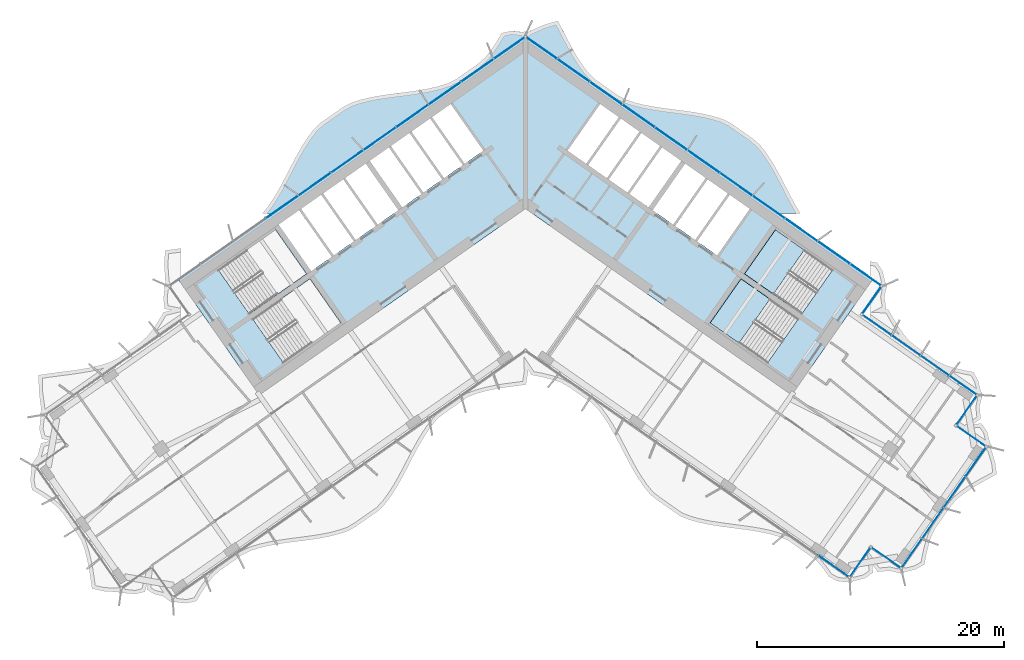
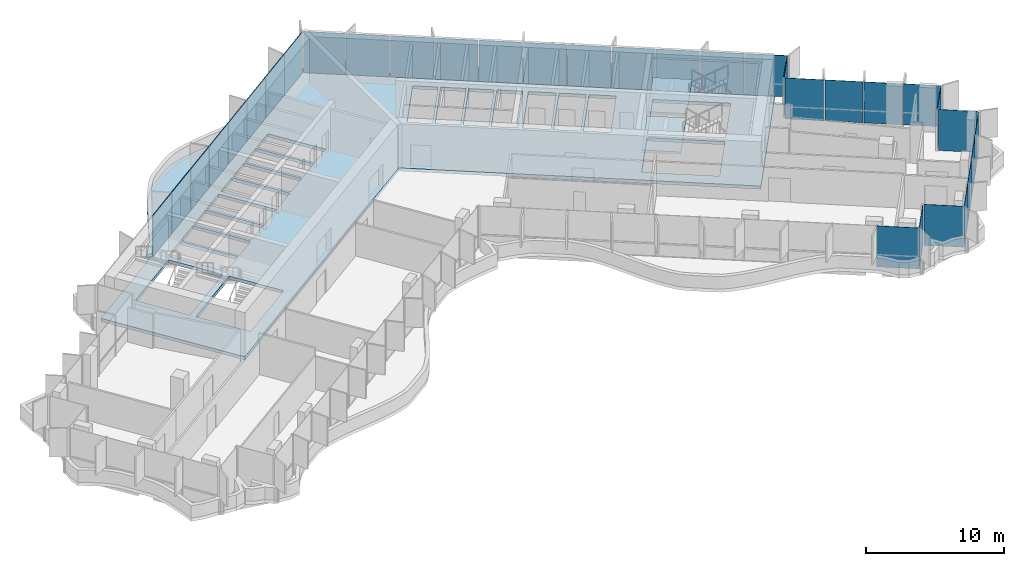
# One storey, part 11 of 21: 33 plates, 4 slabs, 4 elements without a shape of their own.
"""IFC4 building model written with IfcOpenShell, lengths in metres."""

from ifc_helpers import new_model, si_unit, direction, frame, origin, origin_2d, place, context, subcontext, project, spatial, polyline, rectangle, outline, extrude, material, layer, layer_set, type_object, element, aggregate, save


model = new_model("IFC4")

# Units and contexts
model_context = context("Model", 3, precision=1e-05, world=origin(), true_north=direction((0.0, 1.0)))
body_context = subcontext(model_context, "Body", "Model", "MODEL_VIEW")
ifc_project = project(units=[si_unit("LENGTHUNIT", "METRE"), si_unit("AREAUNIT", "SQUARE_METRE"), si_unit("VOLUMEUNIT", "CUBIC_METRE"), si_unit("PLANEANGLEUNIT", "RADIAN"), si_unit("MASSUNIT", "GRAM", prefix="KILO")], contexts=[model_context])

# Site, building, storey
site_placement = place(None, origin())
site = spatial("IfcSite", under=ifc_project, at=site_placement, CompositionType="ELEMENT")
building_placement = place(site_placement, origin())
building = spatial("IfcBuilding", under=site, at=building_placement, Name="Tel Ilan Convention Tower", CompositionType="ELEMENT")
storey_placement = place(building_placement, frame((0.0, 0.0, 151.5)))
storey = spatial("IfcBuildingStorey", under=building, at=storey_placement, Name="L34", CompositionType="ELEMENT", Elevation=151.5)

# Curtain wall, plates
ifc_material_1 = material(Name="Aluminium, bronze anodised", Category="aluminium")
curtain_wall_type_1 = type_object("IfcCurtainWallType", Name="CW4 STICK CURTAIN WALL, OFFICE TINTED GLASS", PredefinedType="NOTDEFINED", material=ifc_material_1)
curtain_wall_1_placement = place(storey_placement, origin())
curtain_wall_1 = element("IfcCurtainWall", 1, at=curtain_wall_1_placement, inside=storey, type_object=curtain_wall_type_1, Name="Curtain wall CW4-27.02", PredefinedType="NOTDEFINED")
ifc_material_2 = material(Name="Glass, bronze tinted, two-ply", Category="glass")
ifc_layer_1 = layer(ifc_material_2, 0.028076171875)
ifc_layer_set_1 = layer_set([ifc_layer_1], Name="CW GLASS PANEL 28")
plate_type_1 = type_object("IfcPlateType", Name="CW GLASS PANEL 28", PredefinedType="CURTAIN_PANEL", material=ifc_layer_set_1)
plate_1_placement = place(storey_placement, frame((24.958251953125, -30.172119140625, 0.0), z_axis=(0.0, 0.0, 1.0), x_axis=(0.819152044289, -0.573576436351, 0.0)))
plate_1 = element("IfcPlate", 2, at=plate_1_placement, type_object=plate_type_1, Name="Glass panel", PredefinedType="CURTAIN_PANEL", context=body_context, shape_type="SweptSolid", body=[
    extrude(rectangle(XDim=3.05078125, YDim=0.028076171875, at=origin_2d()), origin(), (0.0, 0.0, 1.0), 3.6201171875),
])
plate_2_placement = place(storey_placement, frame((27.065673828125, -29.863525390625, 0.0), z_axis=(0.0, 0.0, 1.0), x_axis=(0.573576436351, 0.819152044289, 0.0)))
plate_2 = element("IfcPlate", 3, at=plate_2_placement, type_object=plate_type_1, Name="Glass panel", PredefinedType="CURTAIN_PANEL", context=body_context, shape_type="SweptSolid", body=[
    extrude(rectangle(XDim=2.875, YDim=0.028076171875, at=origin_2d()), origin(), (0.0, 0.0, 1.0), 3.6201171875),
])
plate_3_placement = place(storey_placement, frame((29.20849609375, -29.48583984375, 0.0), z_axis=(0.0, 0.0, 1.0), x_axis=(0.819152044289, -0.573576436351, 0.0)))
plate_3 = element("IfcPlate", 4, at=plate_3_placement, type_object=plate_type_1, Name="Glass panel", PredefinedType="CURTAIN_PANEL", context=body_context, shape_type="SweptSolid", body=[
    extrude(rectangle(XDim=2.875, YDim=0.028076171875, at=origin_2d()), origin(), (0.0, 0.0, 1.0), 3.6201171875),
])
plate_4_placement = place(storey_placement, frame((31.25, -29.1181640625, 0.0), z_axis=(0.0, 0.0, 1.0), x_axis=(0.573576436351, 0.819152044289, 0.0)))
plate_4 = element("IfcPlate", 5, at=plate_4_placement, type_object=plate_type_1, Name="Glass panel", PredefinedType="CURTAIN_PANEL", context=body_context, shape_type="SweptSolid", body=[
    extrude(rectangle(XDim=2.89599609375, YDim=0.028076171875, at=origin_2d()), origin(), (0.0, 0.0, 1.0), 3.6201171875),
])
plate_5_placement = place(storey_placement, frame((32.972412109375, -26.658203125, 0.0), z_axis=(0.0, 0.0, 1.0), x_axis=(0.573576436351, 0.819152044289, 0.0)))
plate_5 = element("IfcPlate", 6, at=plate_5_placement, type_object=plate_type_1, Name="Glass panel", PredefinedType="CURTAIN_PANEL", context=body_context, shape_type="SweptSolid", body=[
    extrude(rectangle(XDim=2.989990234375, YDim=0.028076171875, at=origin_2d()), origin(), (0.0, 0.0, 1.0), 3.6201171875),
])
plate_6_placement = place(storey_placement, frame((34.721923828125, -24.159912109375, 0.0), z_axis=(0.0, 0.0, 1.0), x_axis=(0.573576436351, 0.819152044289, 0.0)))
plate_6 = element("IfcPlate", 7, at=plate_6_placement, type_object=plate_type_1, Name="Glass panel", PredefinedType="CURTAIN_PANEL", context=body_context, shape_type="SweptSolid", body=[
    extrude(rectangle(XDim=2.989990234375, YDim=0.028076171875, at=origin_2d()), origin(), (0.0, 0.0, 1.0), 3.6201171875),
])
plate_7_placement = place(storey_placement, frame((36.4443359375, -21.699951171875, 0.0), z_axis=(0.0, 0.0, 1.0), x_axis=(0.573576436351, 0.819152044289, 0.0)))
plate_7 = element("IfcPlate", 8, at=plate_7_placement, type_object=plate_type_1, Name="Glass panel", PredefinedType="CURTAIN_PANEL", context=body_context, shape_type="SweptSolid", body=[
    extrude(rectangle(XDim=2.89599609375, YDim=0.028076171875, at=origin_2d()), origin(), (0.0, 0.0, 1.0), 3.6201171875),
])
plate_8_placement = place(storey_placement, frame((36.09130859375, -19.656005859375, 0.0), z_axis=(0.0, 0.0, 1.0), x_axis=(-0.819152044289, 0.573576436351, 0.0)))
plate_8 = element("IfcPlate", 9, at=plate_8_placement, type_object=plate_type_1, Name="Glass panel", PredefinedType="CURTAIN_PANEL", context=body_context, shape_type="SweptSolid", body=[
    extrude(rectangle(XDim=2.875, YDim=0.028076171875, at=origin_2d()), origin(), (0.0, 0.0, 1.0), 3.6201171875),
])
plate_9_placement = place(storey_placement, frame((35.713623046875, -17.51318359375, 0.0), z_axis=(0.0, 0.0, 1.0), x_axis=(0.573576436351, 0.819152044289, 0.0)))
plate_9 = element("IfcPlate", 10, at=plate_9_placement, type_object=plate_type_1, Name="Glass panel", PredefinedType="CURTAIN_PANEL", context=body_context, shape_type="SweptSolid", body=[
    extrude(rectangle(XDim=2.875, YDim=0.028076171875, at=origin_2d()), origin(), (0.0, 0.0, 1.0), 3.6201171875),
])
plate_10_placement = place(storey_placement, frame((35.427978515625, -15.529052734375, 0.0), z_axis=(0.0, 0.0, 1.0), x_axis=(-0.819152044289, 0.573576436351, 0.0)))
plate_10 = element("IfcPlate", 11, at=plate_10_placement, type_object=plate_type_1, Name="Glass panel", PredefinedType="CURTAIN_PANEL", context=body_context, shape_type="SweptSolid", body=[
    extrude(rectangle(XDim=2.696044921875, YDim=0.028076171875, at=origin_2d()), origin(), (0.0, 0.0, 1.0), 3.6201171875),
])
plate_11_placement = place(storey_placement, frame((33.1318359375, -13.92138671875, 0.0), z_axis=(0.0, 0.0, 1.0), x_axis=(-0.819152044289, 0.573576436351, 0.0)))
plate_11 = element("IfcPlate", 12, at=plate_11_placement, type_object=plate_type_1, Name="Glass panel", PredefinedType="CURTAIN_PANEL", context=body_context, shape_type="SweptSolid", body=[
    extrude(rectangle(XDim=2.7900390625, YDim=0.028076171875, at=origin_2d()), origin(), (0.0, 0.0, 1.0), 3.6201171875),
])
plate_12_placement = place(storey_placement, frame((30.79736328125, -12.28662109375, 0.0), z_axis=(0.0, 0.0, 1.0), x_axis=(-0.819152044289, 0.573576436351, 0.0)))
plate_12 = element("IfcPlate", 13, at=plate_12_placement, type_object=plate_type_1, Name="Glass panel", PredefinedType="CURTAIN_PANEL", context=body_context, shape_type="SweptSolid", body=[
    extrude(rectangle(XDim=2.7900390625, YDim=0.028076171875, at=origin_2d()), origin(), (0.0, 0.0, 1.0), 3.6201171875),
])
plate_13_placement = place(storey_placement, frame((28.450927734375, -10.6435546875, 0.0), z_axis=(0.0, 0.0, 1.0), x_axis=(-0.819152044289, 0.573576436351, 0.0)))
plate_13 = element("IfcPlate", 14, at=plate_13_placement, type_object=plate_type_1, Name="Glass panel", PredefinedType="CURTAIN_PANEL", context=body_context, shape_type="SweptSolid", body=[
    extrude(rectangle(XDim=2.819091796875, YDim=0.028076171875, at=origin_2d()), origin(), (0.0, 0.0, 1.0), 3.6201171875),
])
aggregate(curtain_wall_1, [plate_1, plate_2, plate_3, plate_4, plate_5, plate_6, plate_7, plate_8, plate_9, plate_10, plate_11, plate_12, plate_13])

ifc_material_3 = material(Name="Aluminium, bronze anodised", Category="aluminium")
curtain_wall_type_2 = type_object("IfcCurtainWallType", Name="CW2 STICK CURTAIN WALL, SPANDREL PANELS", PredefinedType="NOTDEFINED", material=ifc_material_3)
curtain_wall_2_placement = place(storey_placement, origin())
curtain_wall_2 = element("IfcCurtainWall", 15, at=curtain_wall_2_placement, inside=storey, type_object=curtain_wall_type_2, Name="Curtain wall CW2-27.01", PredefinedType="NOTDEFINED")
ifc_material_4 = material(Name="Aluminium composite panel, bronze anodised", Category="aluminium")
ifc_layer_2 = layer(ifc_material_4, 0.06005859375)
ifc_layer_set_2 = layer_set([ifc_layer_2], Name="CW SPANDREL PANEL 60")
plate_type_2 = type_object("IfcPlateType", Name="CW SPANDREL PANEL 60", PredefinedType="CURTAIN_PANEL", material=ifc_layer_set_2)
plate_14_placement = place(storey_placement, frame((28.033935546875, -8.60546875, 0.0), z_axis=(0.0, 0.0, 1.0), x_axis=(0.573576436351, 0.819152044289, 0.0)))
plate_14 = element("IfcPlate", 16, at=plate_14_placement, type_object=plate_type_2, Name="Spandrel panel", PredefinedType="CURTAIN_PANEL", context=body_context, shape_type="SweptSolid", body=[
    extrude(rectangle(XDim=2.658935546875, YDim=0.06005859375, at=origin_2d()), origin(), (0.0, 0.0, 1.0), 3.6201171875),
])
plate_15_placement = place(storey_placement, frame((27.5400390625, -6.587646484375, 0.0), z_axis=(0.0, 0.0, 1.0), x_axis=(-0.819152044289, 0.573576436351, 0.0)))
plate_15 = element("IfcPlate", 17, at=plate_15_placement, type_object=plate_type_2, Name="Spandrel panel", PredefinedType="CURTAIN_PANEL", context=body_context, shape_type="SweptSolid", body=[
    extrude(rectangle(XDim=3.0439453125, YDim=0.06005859375, at=origin_2d()), origin(), (0.0, 0.0, 1.0), 3.6201171875),
])
plate_16_placement = place(storey_placement, frame((24.95263671875, -4.77587890625, 0.0), z_axis=(0.0, 0.0, 1.0), x_axis=(-0.819152044289, 0.573576436351, 0.0)))
plate_16 = element("IfcPlate", 18, at=plate_16_placement, type_object=plate_type_2, Name="Spandrel panel", PredefinedType="CURTAIN_PANEL", context=body_context, shape_type="SweptSolid", body=[
    extrude(rectangle(XDim=3.15380859375, YDim=0.06005859375, at=origin_2d()), origin(), (0.0, 0.0, 1.0), 3.6201171875),
])
plate_17_placement = place(storey_placement, frame((22.31982421875, -2.9326171875, 0.0), z_axis=(0.0, 0.0, 1.0), x_axis=(-0.819152044289, 0.573576436351, 0.0)))
plate_17 = element("IfcPlate", 19, at=plate_17_placement, type_object=plate_type_2, Name="Spandrel panel", PredefinedType="CURTAIN_PANEL", context=body_context, shape_type="SweptSolid", body=[
    extrude(rectangle(XDim=3.15380859375, YDim=0.06005859375, at=origin_2d()), origin(), (0.0, 0.0, 1.0), 3.6201171875),
])
plate_18_placement = place(storey_placement, frame((19.687255859375, -1.089111328125, 0.0), z_axis=(0.0, 0.0, 1.0), x_axis=(-0.819152044289, 0.573576436351, 0.0)))
plate_18 = element("IfcPlate", 20, at=plate_18_placement, type_object=plate_type_2, Name="Spandrel panel", PredefinedType="CURTAIN_PANEL", context=body_context, shape_type="SweptSolid", body=[
    extrude(rectangle(XDim=3.15380859375, YDim=0.06005859375, at=origin_2d()), origin(), (0.0, 0.0, 1.0), 3.6201171875),
])
plate_19_placement = place(storey_placement, frame((17.0546875, 0.754150390625, 0.0), z_axis=(0.0, 0.0, 1.0), x_axis=(-0.819152044289, 0.573576436351, 0.0)))
plate_19 = element("IfcPlate", 21, at=plate_19_placement, type_object=plate_type_2, Name="Spandrel panel", PredefinedType="CURTAIN_PANEL", context=body_context, shape_type="SweptSolid", body=[
    extrude(rectangle(XDim=3.15380859375, YDim=0.06005859375, at=origin_2d()), origin(), (0.0, 0.0, 1.0), 3.6201171875),
])
plate_20_placement = place(storey_placement, frame((14.422119140625, 2.59765625, 0.0), z_axis=(0.0, 0.0, 1.0), x_axis=(-0.819152044289, 0.573576436351, 0.0)))
plate_20 = element("IfcPlate", 22, at=plate_20_placement, type_object=plate_type_2, Name="Spandrel panel", PredefinedType="CURTAIN_PANEL", context=body_context, shape_type="SweptSolid", body=[
    extrude(rectangle(XDim=3.15380859375, YDim=0.06005859375, at=origin_2d()), origin(), (0.0, 0.0, 1.0), 3.6201171875),
])
plate_21_placement = place(storey_placement, frame((11.789306640625, 4.44091796875, 0.0), z_axis=(0.0, 0.0, 1.0), x_axis=(-0.819152044289, 0.573576436351, 0.0)))
plate_21 = element("IfcPlate", 23, at=plate_21_placement, type_object=plate_type_2, Name="Spandrel panel", PredefinedType="CURTAIN_PANEL", context=body_context, shape_type="SweptSolid", body=[
    extrude(rectangle(XDim=3.15380859375, YDim=0.06005859375, at=origin_2d()), origin(), (0.0, 0.0, 1.0), 3.6201171875),
])
plate_22_placement = place(storey_placement, frame((9.15673828125, 6.284423828125, 0.0), z_axis=(0.0, 0.0, 1.0), x_axis=(-0.819152044289, 0.573576436351, 0.0)))
plate_22 = element("IfcPlate", 24, at=plate_22_placement, type_object=plate_type_2, Name="Spandrel panel", PredefinedType="CURTAIN_PANEL", context=body_context, shape_type="SweptSolid", body=[
    extrude(rectangle(XDim=3.15380859375, YDim=0.06005859375, at=origin_2d()), origin(), (0.0, 0.0, 1.0), 3.6201171875),
])
plate_23_placement = place(storey_placement, frame((6.524169921875, 8.127685546875, 0.0), z_axis=(0.0, 0.0, 1.0), x_axis=(-0.819152044289, 0.573576436351, 0.0)))
plate_23 = element("IfcPlate", 25, at=plate_23_placement, type_object=plate_type_2, Name="Spandrel panel", PredefinedType="CURTAIN_PANEL", context=body_context, shape_type="SweptSolid", body=[
    extrude(rectangle(XDim=3.15380859375, YDim=0.06005859375, at=origin_2d()), origin(), (0.0, 0.0, 1.0), 3.6201171875),
])
plate_24_placement = place(storey_placement, frame((3.8916015625, 9.97119140625, 0.0), z_axis=(0.0, 0.0, 1.0), x_axis=(-0.819152044289, 0.573576436351, 0.0)))
plate_24 = element("IfcPlate", 26, at=plate_24_placement, type_object=plate_type_2, Name="Spandrel panel", PredefinedType="CURTAIN_PANEL", context=body_context, shape_type="SweptSolid", body=[
    extrude(rectangle(XDim=3.15380859375, YDim=0.06005859375, at=origin_2d()), origin(), (0.0, 0.0, 1.0), 3.6201171875),
])
plate_25_placement = place(storey_placement, frame((1.303955078125, 11.782958984375, 0.0), z_axis=(0.0, 0.0, 1.0), x_axis=(-0.819152044289, 0.573576436351, 0.0)))
plate_25 = element("IfcPlate", 27, at=plate_25_placement, type_object=plate_type_2, Name="Spandrel panel", PredefinedType="CURTAIN_PANEL", context=body_context, shape_type="SweptSolid", body=[
    extrude(rectangle(XDim=3.0439453125, YDim=0.06005859375, at=origin_2d()), origin(), (0.0, 0.0, 1.0), 3.6201171875),
])
plate_26_placement = place(storey_placement, frame((-1.303955078125, 11.782958984375, 0.0), z_axis=(0.0, 0.0, 1.0), x_axis=(-0.819152044289, -0.573576436351, 0.0)))
plate_26 = element("IfcPlate", 28, at=plate_26_placement, type_object=plate_type_2, Name="Spandrel panel", PredefinedType="CURTAIN_PANEL", context=body_context, shape_type="SweptSolid", body=[
    extrude(rectangle(XDim=3.0439453125, YDim=0.06005859375, at=origin_2d()), origin(), (0.0, 0.0, 1.0), 3.6201171875),
])
plate_27_placement = place(storey_placement, frame((-3.8916015625, 9.97119140625, 0.0), z_axis=(0.0, 0.0, 1.0), x_axis=(-0.819152044289, -0.573576436351, 0.0)))
plate_27 = element("IfcPlate", 29, at=plate_27_placement, type_object=plate_type_2, Name="Spandrel panel", PredefinedType="CURTAIN_PANEL", context=body_context, shape_type="SweptSolid", body=[
    extrude(rectangle(XDim=3.15380859375, YDim=0.06005859375, at=origin_2d()), origin(), (0.0, 0.0, 1.0), 3.6201171875),
])
plate_28_placement = place(storey_placement, frame((-6.524169921875, 8.127685546875, 0.0), z_axis=(0.0, 0.0, 1.0), x_axis=(-0.819152044289, -0.573576436351, 0.0)))
plate_28 = element("IfcPlate", 30, at=plate_28_placement, type_object=plate_type_2, Name="Spandrel panel", PredefinedType="CURTAIN_PANEL", context=body_context, shape_type="SweptSolid", body=[
    extrude(rectangle(XDim=3.15380859375, YDim=0.06005859375, at=origin_2d()), origin(), (0.0, 0.0, 1.0), 3.6201171875),
])
plate_29_placement = place(storey_placement, frame((-9.15673828125, 6.284423828125, 0.0), z_axis=(0.0, 0.0, 1.0), x_axis=(-0.819152044289, -0.573576436351, 0.0)))
plate_29 = element("IfcPlate", 31, at=plate_29_placement, type_object=plate_type_2, Name="Spandrel panel", PredefinedType="CURTAIN_PANEL", context=body_context, shape_type="SweptSolid", body=[
    extrude(rectangle(XDim=3.15380859375, YDim=0.06005859375, at=origin_2d()), origin(), (0.0, 0.0, 1.0), 3.6201171875),
])
plate_30_placement = place(storey_placement, frame((-11.789306640625, 4.44091796875, 0.0), z_axis=(0.0, 0.0, 1.0), x_axis=(-0.819152044289, -0.573576436351, 0.0)))
plate_30 = element("IfcPlate", 32, at=plate_30_placement, type_object=plate_type_2, Name="Spandrel panel", PredefinedType="CURTAIN_PANEL", context=body_context, shape_type="SweptSolid", body=[
    extrude(rectangle(XDim=3.15380859375, YDim=0.06005859375, at=origin_2d()), origin(), (0.0, 0.0, 1.0), 3.6201171875),
])
plate_31_placement = place(storey_placement, frame((-14.422119140625, 2.59765625, 0.0), z_axis=(0.0, 0.0, 1.0), x_axis=(-0.819152044289, -0.573576436351, 0.0)))
plate_31 = element("IfcPlate", 33, at=plate_31_placement, type_object=plate_type_2, Name="Spandrel panel", PredefinedType="CURTAIN_PANEL", context=body_context, shape_type="SweptSolid", body=[
    extrude(rectangle(XDim=3.15380859375, YDim=0.06005859375, at=origin_2d()), origin(), (0.0, 0.0, 1.0), 3.6201171875),
])
plate_32_placement = place(storey_placement, frame((-17.0546875, 0.754150390625, 0.0), z_axis=(0.0, 0.0, 1.0), x_axis=(-0.819152044289, -0.573576436351, 0.0)))
plate_32 = element("IfcPlate", 34, at=plate_32_placement, type_object=plate_type_2, Name="Spandrel panel", PredefinedType="CURTAIN_PANEL", context=body_context, shape_type="SweptSolid", body=[
    extrude(rectangle(XDim=3.15380859375, YDim=0.06005859375, at=origin_2d()), origin(), (0.0, 0.0, 1.0), 3.6201171875),
])
plate_33_placement = place(storey_placement, frame((-19.687255859375, -1.089111328125, 0.0), z_axis=(0.0, 0.0, 1.0), x_axis=(-0.819152044289, -0.573576436351, 0.0)))
plate_33 = element("IfcPlate", 35, at=plate_33_placement, type_object=plate_type_2, Name="Spandrel panel", PredefinedType="CURTAIN_PANEL", context=body_context, shape_type="SweptSolid", body=[
    extrude(rectangle(XDim=3.15380859375, YDim=0.06005859375, at=origin_2d()), origin(), (0.0, 0.0, 1.0), 3.6201171875),
])
aggregate(curtain_wall_2, [plate_14, plate_15, plate_16, plate_17, plate_18, plate_19, plate_20, plate_21, plate_22, plate_23, plate_24, plate_25, plate_26, plate_27, plate_28, plate_29, plate_30, plate_31, plate_32, plate_33])

# Stair, slab
ifc_material_5 = material(Name="Concrete C40/50", Category="concrete")
stair_type = type_object("IfcStairType", Name="Pressurised Exit Stair 22 risers 177 mm", PredefinedType="HALF_TURN_STAIR", material=ifc_material_5)
stair_1_placement = place(storey_placement, origin())
stair_1 = element("IfcStair", 36, at=stair_1_placement, inside=storey, type_object=stair_type, Name="L34 Pressurised Stair S3", PredefinedType="HALF_TURN_STAIR")
ifc_material_6 = material(Name="Concrete C40/50", Category="concrete")
ifc_layer_3 = layer(ifc_material_6, 0.199951171875)
ifc_layer_set_3 = layer_set([ifc_layer_3], Name="Concrete Stair Landing 200 mm C40/50")
slab_type_1 = type_object("IfcSlabType", Name="Concrete Stair Landing 200 mm", PredefinedType="LANDING", material=ifc_layer_set_3)
slab_1_placement = place(storey_placement, frame((0.0, 0.0, 1.75)))
slab_1 = element("IfcSlab", 37, at=slab_1_placement, type_object=slab_type_1, Name="S3 landing 1", PredefinedType="LANDING", context=body_context, shape_type="SweptSolid", body=[
    extrude(outline(polyline([(22.561767578125, -4.566650390625), (20.226318359375, -2.931640625), (17.7314453125, -6.494873046875), (20.066650390625, -8.130126953125), (22.561767578125, -4.566650390625)])), origin(), (0.0, 0.0, 1.0), 0.199951171875),
])
aggregate(stair_1, [slab_1])

stair_2_placement = place(storey_placement, origin())
stair_2 = element("IfcStair", 38, at=stair_2_placement, inside=storey, type_object=stair_type, Name="L34 Pressurised Stair S4", PredefinedType="HALF_TURN_STAIR")
slab_2_placement = place(storey_placement, frame((0.0, 0.0, 1.75)))
slab_2 = element("IfcSlab", 39, at=slab_2_placement, type_object=slab_type_1, Name="S4 landing 1", PredefinedType="LANDING", context=body_context, shape_type="SweptSolid", body=[
    extrude(outline(polyline([(19.77978515625, -8.53955078125), (17.444580078125, -6.904541015625), (14.949462890625, -10.4677734375), (17.28466796875, -12.10302734375), (19.77978515625, -8.53955078125)])), origin(), (0.0, 0.0, 1.0), 0.199951171875),
])
aggregate(stair_2, [slab_2])

# Slabs
ifc_material_7 = material(Name="Concrete C40/50", Category="concrete")
ifc_layer_4 = layer(ifc_material_7, 0.280029296875)
ifc_layer_set_4 = layer_set([ifc_layer_4], Name="Core Floor Slab 280 mm C40/50")
slab_type_2 = type_object("IfcSlabType", Name="Core Floor Slab 280 mm C40/50", PredefinedType="FLOOR", material=ifc_layer_set_4)
slab_3_placement = place(storey_placement, frame((0.0, 0.0, -0.280029296875)))
element("IfcSlab", 40, at=slab_3_placement, inside=storey, type_object=slab_type_2, Name="L34 core floor 1", PredefinedType="FLOOR", context=body_context, shape_type="SweptSolid", body=[
    extrude(outline(polyline([(-28.1396484375, -6.885498046875), (0.0, 12.818115234375), (28.1396484375, -6.885498046875), (21.54345703125, -16.3056640625), (0.0, -1.220703125), (-21.54345703125, -16.3056640625), (-28.1396484375, -6.885498046875)]), holes=[polyline([(-14.949462890625, -10.4677734375), (-17.444580078125, -6.904541015625), (-22.072021484375, -10.144775390625), (-19.5771484375, -13.7080078125), (-14.949462890625, -10.4677734375)]), polyline([(-17.7314453125, -6.494873046875), (-20.226318359375, -2.931640625), (-24.85400390625, -6.171875), (-22.35888671875, -9.735107421875), (-17.7314453125, -6.494873046875)]), polyline([(-18.313720703125, -1.34814453125), (-19.972412109375, -2.509521484375), (-17.333984375, -6.277587890625), (-15.67529296875, -5.1162109375), (-18.313720703125, -1.34814453125)]), polyline([(-16.531982421875, -0.1005859375), (-18.14990234375, -1.2333984375), (-15.511474609375, -5.00146484375), (-13.8935546875, -3.86865234375), (-16.531982421875, -0.1005859375)]), polyline([(-14.75048828125, 1.14697265625), (-16.368408203125, 0.01416015625), (-13.729736328125, -3.75390625), (-12.112060546875, -2.62109375), (-14.75048828125, 1.14697265625)]), polyline([(-12.927734375, 2.423095703125), (-14.586669921875, 1.26171875), (-11.947998046875, -2.506591796875), (-10.289306640625, -1.344970703125), (-12.927734375, 2.423095703125)]), polyline([(-11.053955078125, 3.735107421875), (-12.60009765625, 2.652587890625), (-9.961669921875, -1.115478515625), (-8.41552734375, -0.032958984375), (-11.053955078125, 3.735107421875)]), polyline([(-6.74658203125, 1.1357421875), (-9.385009765625, 4.90380859375), (-10.89013671875, 3.849853515625), (-8.251708984375, 0.081787109375), (-6.74658203125, 1.1357421875)]), polyline([(-5.077392578125, 2.304443359375), (-7.716064453125, 6.072509765625), (-9.22119140625, 5.0185546875), (-6.582763671875, 1.25048828125), (-5.077392578125, 2.304443359375)]), polyline([(-6.046875, 7.2412109375), (-7.552001953125, 6.187255859375), (-4.913818359375, 2.419189453125), (-3.408447265625, 3.47314453125), (-6.046875, 7.2412109375)]), polyline([(17.444580078125, -6.904541015625), (14.949462890625, -10.4677734375), (19.5771484375, -13.7080078125), (22.072021484375, -10.144775390625), (17.444580078125, -6.904541015625)]), polyline([(20.226318359375, -2.931640625), (17.7314453125, -6.494873046875), (22.35888671875, -9.735107421875), (24.85400390625, -6.171875), (20.226318359375, -2.931640625)]), polyline([(13.8935546875, -3.86865234375), (15.511474609375, -5.00146484375), (18.14990234375, -1.2333984375), (16.531982421875, -0.1005859375), (13.8935546875, -3.86865234375)]), polyline([(12.112060546875, -2.62109375), (13.729736328125, -3.75390625), (16.368408203125, 0.01416015625), (14.75048828125, 1.14697265625), (12.112060546875, -2.62109375)]), polyline([(11.947998046875, -2.506591796875), (14.586669921875, 1.26171875), (12.927734375, 2.423095703125), (10.289306640625, -1.344970703125), (11.947998046875, -2.506591796875)]), polyline([(9.961669921875, -1.115478515625), (12.60009765625, 2.652587890625), (11.053955078125, 3.735107421875), (8.41552734375, -0.032958984375), (9.961669921875, -1.115478515625)]), polyline([(8.251708984375, 0.081787109375), (10.89013671875, 3.849853515625), (9.385009765625, 4.90380859375), (6.74658203125, 1.1357421875), (8.251708984375, 0.081787109375)]), polyline([(5.077392578125, 2.304443359375), (6.582763671875, 1.25048828125), (9.22119140625, 5.0185546875), (7.716064453125, 6.072509765625), (5.077392578125, 2.304443359375)]), polyline([(3.408447265625, 3.47314453125), (4.913818359375, 2.419189453125), (7.552001953125, 6.187255859375), (6.046875, 7.2412109375), (3.408447265625, 3.47314453125)])]), origin(), (0.0, 0.0, 1.0), 0.280029296875),
])
ifc_material_8 = material(Name="Concrete C40/50", Category="concrete")
ifc_layer_5 = layer(ifc_material_8, 0.280029296875)
ifc_layer_set_5 = layer_set([ifc_layer_5], Name="Edge Ledge Slab 280 mm C40/50")
slab_type_3 = type_object("IfcSlabType", Name="Edge Ledge Slab 280 mm C40/50", PredefinedType="FLOOR", material=ifc_layer_set_5)
slab_4_placement = place(storey_placement, frame((0.0, 0.0, -0.280029296875)))
element("IfcSlab", 41, at=slab_4_placement, inside=storey, type_object=slab_type_3, Name="L34 edge ledge 2", PredefinedType="FLOOR", context=body_context, shape_type="SweptSolid", body=[
    extrude(outline(polyline([(-19.60009765625, 1.004150390625), (-19.217529296875, 1.741943359375), (-18.83642578125, 2.481689453125), (-18.44677734375, 3.209228515625), (-18.0390625, 3.910888671875), (-17.604736328125, 4.574951171875), (-17.13671875, 5.190185546875), (-16.6015625, 5.71044921875), (-14.791748046875, 6.977783203125), (-14.1416015625, 7.33349609375), (-13.41064453125, 7.573486328125), (-12.644287109375, 7.76318359375), (-11.849853515625, 7.91259765625), (-11.03564453125, 8.033935546875), (-10.211181640625, 8.140380859375), (-9.385986328125, 8.24609375), (-8.570068359375, 8.36474609375), (-7.7724609375, 8.509765625), (-7.002197265625, 8.693603515625), (-6.26611328125, 8.926513671875), (-5.601806640625, 9.261962890625), (-3.7919921875, 10.529296875), (-3.2421875, 11.0283203125), (-2.769287109375, 11.63671875), (-2.3310546875, 12.294921875), (-1.919921875, 12.991943359375), (-1.14208984375, 13.1650390625), (-0.172119140625, 13.06396484375), (-0.168701171875, 13.05908203125), (-0.11474609375, 13.09521484375), (0.0, 13.1181640625), (0.11474609375, 13.09521484375), (0.168701171875, 13.05908203125), (0.172119140625, 13.06396484375), (1.4794921875, 13.647216796875), (2.6162109375, 13.986328125), (3.000244140625, 13.250732421875), (3.38134765625, 12.510986328125), (3.770263671875, 11.7822265625), (4.176513671875, 11.078369140625), (4.608642578125, 10.41162109375), (5.074462890625, 9.792724609375), (5.601806640625, 9.261962890625), (7.411865234375, 7.99462890625), (8.054931640625, 7.62890625), (8.783447265625, 7.385498046875), (9.547607421875, 7.19287109375), (10.340576171875, 7.041015625), (11.15380859375, 6.91845703125), (11.977783203125, 6.811279296875), (12.80322265625, 6.7060546875), (13.6201171875, 6.588623046875), (14.419189453125, 6.44580078125), (15.191650390625, 6.2646484375), (15.929931640625, 6.03515625), (16.6015625, 5.71044921875), (18.41162109375, 4.443115234375), (18.96826171875, 3.9541015625), (19.44384765625, 3.34912109375), (19.884033203125, 2.69384765625), (20.296142578125, 1.998291015625), (20.688720703125, 1.27490234375), (21.07080078125, 0.53662109375), (21.4521484375, -0.202880859375), (21.8427734375, -0.928955078125), (22.25341796875, -1.631591796875), (20.63623046875, -1.631591796875), (0.0, 12.818115234375), (-20.63623046875, -1.631591796875), (-21.30126953125, -1.631591796875), (-20.849609375, -1.0634765625), (-20.4072265625, -0.4111328125), (-19.993408203125, 0.281982421875), (-19.60009765625, 1.004150390625)])), origin(), (0.0, 0.0, 1.0), 0.280029296875),
])

save(model, "model.ifc")
